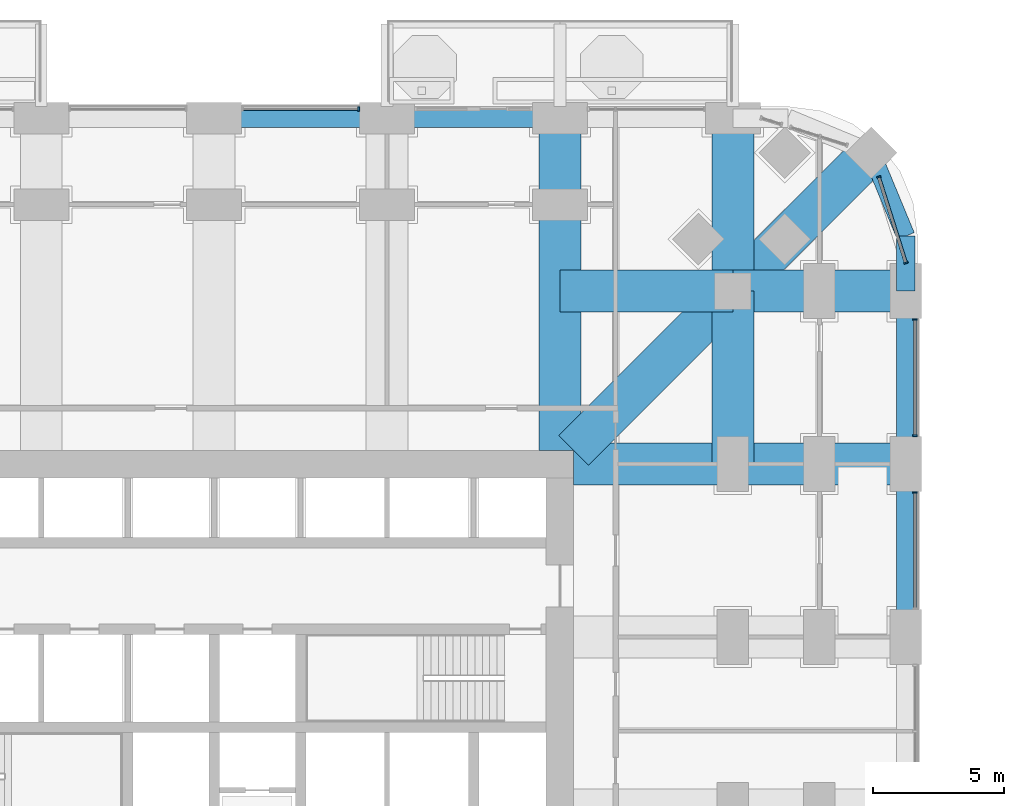
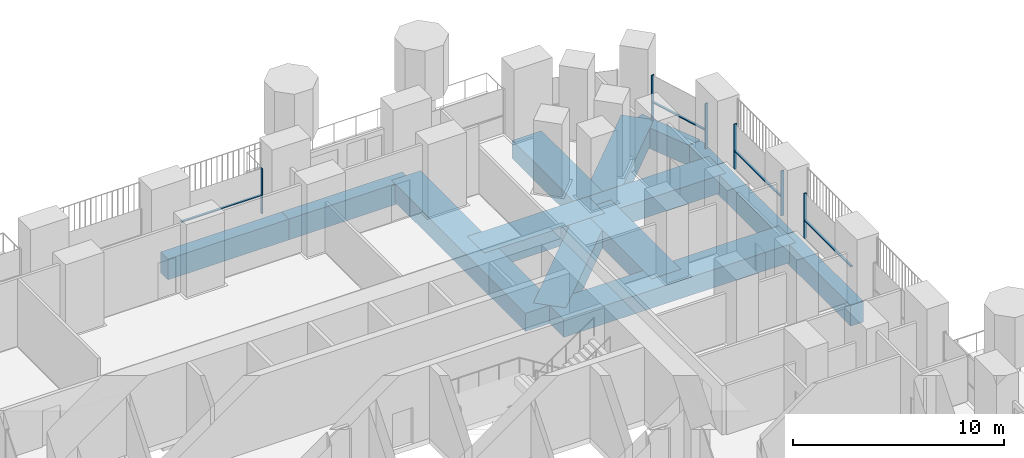
# One storey, part 9 of 27: 14 beams, 10 members, 4 elements without a shape of their own.
"""IFC4 building model written with IfcOpenShell, lengths in metres."""

from ifc_helpers import new_model, si_unit, direction, frame, origin, origin_2d, place, context, subcontext, project, spatial, rectangle, extrude, material, material_profile, profile_set, type_object, element, aggregate, save


model = new_model("IFC4")

# Units and contexts
model_context = context("Model", 3, precision=1e-05, world=origin(), true_north=direction((0.0, 1.0)))
body_context = subcontext(model_context, "Body", "Model", "MODEL_VIEW")
ifc_project = project(units=[si_unit("LENGTHUNIT", "METRE"), si_unit("AREAUNIT", "SQUARE_METRE"), si_unit("VOLUMEUNIT", "CUBIC_METRE"), si_unit("PLANEANGLEUNIT", "RADIAN"), si_unit("MASSUNIT", "GRAM", prefix="KILO")], contexts=[model_context])

# Site, building, storey
site_placement = place(None, origin())
site = spatial("IfcSite", under=ifc_project, at=site_placement, CompositionType="ELEMENT")
building_placement = place(site_placement, origin())
building = spatial("IfcBuilding", under=site, at=building_placement, Name="Cobogo Forest Laboratory Tower", CompositionType="ELEMENT")
storey_placement = place(building_placement, frame((0.0, 0.0, 63.300048828125)))
storey = spatial("IfcBuildingStorey", under=building, at=storey_placement, Name="L14", CompositionType="ELEMENT", Elevation=63.300048828125)

# Beams
ifc_material_1 = material(Name="Concrete HA-50 (C50/60)", Category="concrete")
ifc_material_profile_1 = material_profile(ifc_material_1, rectangle(XDim=1.60009765625, YDim=1.050048828125, at=origin_2d()), Name="RC 1600x1050")
ifc_profile_set_1 = profile_set([ifc_material_profile_1], Name="Concrete HA-50 (C50/60)")
beam_type_1 = type_object("IfcBeamType", Name="Laboratory floor wide beam 1600x1050", PredefinedType="BEAM", material=ifc_profile_set_1)
for number, where, z_axis, x_axis, name in (
    (1, (39.60009765625, 33.52490234375, -0.824951171875), (0.0, 1.0, 0.0), (-1.0, 0.0, 0.0), "RB8 R-7-N L14"),
    (2, (40.125, 33.0, -0.824951171875), (1.0, 0.0, 0.0), (0.0, 1.0, 0.0), "RB8 R-F-E L14"),
):
    element("IfcBeam", number, at=place(storey_placement, frame(where, z_axis=z_axis, x_axis=x_axis)), inside=storey, type_object=beam_type_1, Name=name, PredefinedType="BEAM", context=body_context, shape_type="SweptSolid", body=[
        extrude(rectangle(XDim=1.60009765625, YDim=1.050048828125, at=origin_2d()), origin(), (0.0, 0.0, 1.0), 12.675048828125),
    ])
beam_1_placement = place(storey_placement, frame((46.199951171875, 46.199951171875, -0.824951171875), z_axis=(0.0, -1.0, 0.0), x_axis=(1.0, 0.0, 0.0)))
element("IfcBeam", 3, at=beam_1_placement, inside=storey, type_object=beam_type_1, Name="RB8 G-NE-XF L14", PredefinedType="BEAM", context=body_context, shape_type="SweptSolid", body=[
    extrude(rectangle(XDim=1.60009765625, YDim=1.050048828125, at=origin_2d()), origin(), (0.0, 0.0, 1.0), 6.599853515625),
])
for number, where, z_axis, x_axis, name in (
    (4, (46.199951171875, 39.60009765625, -0.824951171875), (0.0, -1.0, 0.0), (1.0, 0.0, 0.0), "RB8 G-NE-XC L14"),
    (5, (52.800048828125, 39.60009765625, -0.824951171875), (-1.0, 0.0, 0.0), (0.0, -1.0, 0.0), "RB8 G-NE-YF L14"),
):
    element("IfcBeam", number, at=place(storey_placement, frame(where, z_axis=z_axis, x_axis=x_axis)), inside=storey, type_object=beam_type_1, Name=name, PredefinedType="BEAM", context=body_context, shape_type="SweptSolid", body=[
        extrude(rectangle(XDim=1.60009765625, YDim=1.050048828125, at=origin_2d()), origin(), (0.0, 0.0, 1.0), 6.60009765625),
    ])
beam_2_placement = place(storey_placement, frame((46.199951171875, 39.60009765625, -0.824951171875), z_axis=(-1.0, 0.0, 0.0), x_axis=(0.0, -1.0, 0.0)))
element("IfcBeam", 6, at=beam_2_placement, inside=storey, type_object=beam_type_1, Name="RB8 G-NE-YC L14", PredefinedType="BEAM", context=body_context, shape_type="SweptSolid", body=[
    extrude(rectangle(XDim=1.60009765625, YDim=1.050048828125, at=origin_2d()), origin(), (0.0, 0.0, 1.0), 6.599853515625),
])
beam_3_placement = place(storey_placement, frame((51.48193359375, 44.882080078125, -0.824951171875), z_axis=(-0.707106781187, -0.707106781187, 0.0), x_axis=(0.707106781187, -0.707106781187, 0.0)))
element("IfcBeam", 7, at=beam_3_placement, inside=storey, type_object=beam_type_1, Name="RB8 G-NE-D1 L14", PredefinedType="BEAM", context=body_context, shape_type="SweptSolid", body=[
    extrude(rectangle(XDim=1.60009765625, YDim=1.050048828125, at=origin_2d()), origin(), (0.0, 0.0, 1.0), 7.469970703125),
])
beam_4_placement = place(storey_placement, frame((46.199951171875, 39.60009765625, -0.824951171875), z_axis=(-0.707092572697, -0.70712098939, 0.0), x_axis=(0.70712098939, -0.707092572697, 0.0)))
element("IfcBeam", 8, at=beam_4_placement, inside=storey, type_object=beam_type_1, Name="RB8 G-NE-D2 L14", PredefinedType="BEAM", context=body_context, shape_type="SweptSolid", body=[
    extrude(rectangle(XDim=1.60009765625, YDim=1.050048828125, at=origin_2d()), origin(), (0.0, 0.0, 1.0), 8.591552734375),
])

# Curtain wall, member
ifc_material_2 = material(Name="Aluminium curtain wall", Category="aluminium")
curtain_wall_type = type_object("IfcCurtainWallType", Name="CW-1 unitised curtain wall, clear glazing, laboratory floors zones A and B", PredefinedType="USERDEFINED", material=ifc_material_2)
curtain_wall_1_placement = place(storey_placement, origin())
curtain_wall_1 = element("IfcCurtainWall", 9, at=curtain_wall_1_placement, inside=storey, type_object=curtain_wall_type, Name="Curtain wall 13 L14", ObjectType="UNITISED CURTAIN WALL", PredefinedType="USERDEFINED")
ifc_material_3 = material(Name="Aluminium mullion", Category="aluminium")
ifc_material_profile_2 = material_profile(ifc_material_3, rectangle(XDim=0.06005859375, YDim=0.159912109375, at=origin_2d()), Name="AL 60x160")
ifc_profile_set_2 = profile_set([ifc_material_profile_2], Name="Aluminium mullion")
member_type_1 = type_object("IfcMemberType", Name="MU-1 aluminium mullion 60x160", PredefinedType="MULLION", material=ifc_profile_set_2)
member_1_placement = place(storey_placement, frame((53.14990234375, 31.919921875, 0.0), z_axis=(0.0, 0.0, 1.0), x_axis=(0.0, 1.0, 0.0)))
member_1 = element("IfcMember", 10, at=member_1_placement, type_object=member_type_1, Name="CW-1 mullion 2", PredefinedType="MULLION", context=body_context, shape_type="SweptSolid", body=[
    extrude(rectangle(XDim=0.06005859375, YDim=0.159912109375, at=origin_2d()), origin(), (0.0, 0.0, 1.0), 2.599853515625),
])

# Curtain wall, members
curtain_wall_2_placement = place(storey_placement, origin())
curtain_wall_2 = element("IfcCurtainWall", 11, at=curtain_wall_2_placement, inside=storey, type_object=curtain_wall_type, Name="Curtain wall 14 L14", ObjectType="UNITISED CURTAIN WALL", PredefinedType="USERDEFINED")
member_2_placement = place(storey_placement, frame((53.14990234375, 34.080078125, 0.0), z_axis=(0.0, 0.0, 1.0), x_axis=(0.0, 1.0, 0.0)))
member_2 = element("IfcMember", 12, at=member_2_placement, type_object=member_type_1, Name="CW-1 mullion 1", PredefinedType="MULLION", context=body_context, shape_type="SweptSolid", body=[
    extrude(rectangle(XDim=0.06005859375, YDim=0.159912109375, at=origin_2d()), origin(), (0.0, 0.0, 1.0), 2.599853515625),
])
member_3_placement = place(storey_placement, frame((53.14990234375, 38.52001953125, 0.0), z_axis=(0.0, 0.0, 1.0), x_axis=(0.0, 1.0, 0.0)))
member_3 = element("IfcMember", 13, at=member_3_placement, type_object=member_type_1, Name="CW-1 mullion 2", PredefinedType="MULLION", context=body_context, shape_type="SweptSolid", body=[
    extrude(rectangle(XDim=0.06005859375, YDim=0.159912109375, at=origin_2d()), origin(), (0.0, 0.0, 1.0), 2.599853515625),
])

curtain_wall_3_placement = place(storey_placement, origin())
curtain_wall_3 = element("IfcCurtainWall", 14, at=curtain_wall_3_placement, inside=storey, type_object=curtain_wall_type, Name="Curtain wall 15 L14", ObjectType="UNITISED CURTAIN WALL", PredefinedType="USERDEFINED")
member_4_placement = place(storey_placement, frame((52.809326171875, 40.6787109375, 0.0), z_axis=(0.0, 0.0, 1.0), x_axis=(-0.30113535792, 0.95358140513, 0.0)))
member_4 = element("IfcMember", 15, at=member_4_placement, type_object=member_type_1, Name="CW-1 mullion 1", PredefinedType="MULLION", context=body_context, shape_type="SweptSolid", body=[
    extrude(rectangle(XDim=0.06005859375, YDim=0.159912109375, at=origin_2d()), origin(), (0.0, 0.0, 1.0), 2.599853515625),
])
member_5_placement = place(storey_placement, frame((51.772705078125, 43.961181640625, 0.0), z_axis=(0.0, 0.0, 1.0), x_axis=(-0.30113535792, 0.95358140513, 0.0)))
member_5 = element("IfcMember", 16, at=member_5_placement, type_object=member_type_1, Name="CW-1 mullion 2", PredefinedType="MULLION", context=body_context, shape_type="SweptSolid", body=[
    extrude(rectangle(XDim=0.06005859375, YDim=0.159912109375, at=origin_2d()), origin(), (0.0, 0.0, 1.0), 2.599853515625),
])

# Curtain wall, member
curtain_wall_4_placement = place(storey_placement, origin())
curtain_wall_4 = element("IfcCurtainWall", 17, at=curtain_wall_4_placement, inside=storey, type_object=curtain_wall_type, Name="Curtain wall 20 L14", ObjectType="UNITISED CURTAIN WALL", PredefinedType="USERDEFINED")
member_6_placement = place(storey_placement, frame((31.919921875, 46.550048828125, 0.0), z_axis=(0.0, 0.0, 1.0), x_axis=(-1.0, 0.0, 0.0)))
member_6 = element("IfcMember", 18, at=member_6_placement, type_object=member_type_1, Name="CW-1 mullion 1", PredefinedType="MULLION", context=body_context, shape_type="SweptSolid", body=[
    extrude(rectangle(XDim=0.06005859375, YDim=0.159912109375, at=origin_2d()), origin(), (0.0, 0.0, 1.0), 2.599853515625),
])

# Beams
ifc_material_4 = material(Name="Concrete HA-40 (C40/50)", Category="concrete")
ifc_material_profile_3 = material_profile(ifc_material_4, rectangle(XDim=0.699951171875, YDim=1.199951171875, at=origin_2d()), Name="RC 700x1200")
ifc_profile_set_3 = profile_set([ifc_material_profile_3], Name="Concrete HA-40 (C40/50)")
beam_type_2 = type_object("IfcBeamType", Name="Perimeter edge beam 700x1200", PredefinedType="BEAM", material=ifc_profile_set_3)
for number, where, z_axis, x_axis, name in (
    (19, (52.800048828125, 26.39990234375, -0.900146484375), (0.0, 1.0, 0.0), (-1.0, 0.0, 0.0), "EB1 E-E4 L14"),
    (20, (52.800048828125, 33.0, -0.900146484375), (0.0, 1.0, 0.0), (-1.0, 0.0, 0.0), "EB1 E-E5 L14"),
    (21, (26.39990234375, 46.199951171875, -0.900146484375), (1.0, 0.0, 0.0), (0.0, 1.0, 0.0), "EB1 E-N4 L14"),
    (22, (33.0, 46.199951171875, -0.900146484375), (1.0, 0.0, 0.0), (0.0, 1.0, 0.0), "EB1 E-N5 L14"),
):
    element("IfcBeam", number, at=place(storey_placement, frame(where, z_axis=z_axis, x_axis=x_axis)), inside=storey, type_object=beam_type_2, Name=name, PredefinedType="BEAM", context=body_context, shape_type="SweptSolid", body=[
        extrude(rectangle(XDim=0.699951171875, YDim=1.199951171875, at=origin_2d()), origin(), (0.0, 0.0, 1.0), 6.60009765625),
    ])
beam_5_placement = place(storey_placement, frame((52.800048828125, 39.60009765625, -0.900146484375), z_axis=(0.0, 1.0, 0.0), x_axis=(-1.0, 0.0, 0.0)))
element("IfcBeam", 23, at=beam_5_placement, inside=storey, type_object=beam_type_2, Name="EB1 E-NEE1 L14", PredefinedType="BEAM", context=body_context, shape_type="SweptSolid", body=[
    extrude(rectangle(XDim=0.699951171875, YDim=1.199951171875, at=origin_2d()), origin(), (0.0, 0.0, 1.0), 2.099853515625),
])
beam_6_placement = place(storey_placement, frame((52.800048828125, 41.699951171875, -0.900146484375), z_axis=(-0.382691928466, 0.923876013265, 0.0), x_axis=(-0.923876013265, -0.382691928466, 0.0)))
element("IfcBeam", 24, at=beam_6_placement, inside=storey, type_object=beam_type_2, Name="EB1 E-NEE2 L14", PredefinedType="BEAM", context=body_context, shape_type="SweptSolid", body=[
    extrude(rectangle(XDim=0.699951171875, YDim=1.199951171875, at=origin_2d()), origin(), (0.0, 0.0, 1.0), 3.4443359375),
])

# Member
ifc_material_5 = material(Name="Aluminium transom", Category="aluminium")
ifc_material_profile_4 = material_profile(ifc_material_5, rectangle(XDim=0.1201171875, YDim=0.06005859375, at=origin_2d()), Name="AL 60x120")
ifc_profile_set_4 = profile_set([ifc_material_profile_4], Name="Aluminium transom")
member_type_2 = type_object("IfcMemberType", Name="TR-1 aluminium transom 60x120", PredefinedType="USERDEFINED", material=ifc_profile_set_4)
member_7_placement = place(storey_placement, frame((53.14990234375, 27.510009765625, 1.050048828125), z_axis=(0.0, 1.0, 0.0), x_axis=(-1.0, 0.0, 0.0)))
member_7 = element("IfcMember", 25, at=member_7_placement, type_object=member_type_2, Name="CW-1 transom 1.1", ObjectType="TRANSOM", PredefinedType="USERDEFINED", context=body_context, shape_type="SweptSolid", body=[
    extrude(rectangle(XDim=0.1201171875, YDim=0.06005859375, at=origin_2d()), origin(), (0.0, 0.0, 1.0), 4.3798828125),
])

aggregate(curtain_wall_1, [member_1, member_7])

member_8_placement = place(storey_placement, frame((53.14990234375, 34.110107421875, 1.050048828125), z_axis=(0.0, 1.0, 0.0), x_axis=(-1.0, 0.0, 0.0)))
member_8 = element("IfcMember", 26, at=member_8_placement, type_object=member_type_2, Name="CW-1 transom 1.1", ObjectType="TRANSOM", PredefinedType="USERDEFINED", context=body_context, shape_type="SweptSolid", body=[
    extrude(rectangle(XDim=0.1201171875, YDim=0.06005859375, at=origin_2d()), origin(), (0.0, 0.0, 1.0), 4.3798828125),
])

aggregate(curtain_wall_2, [member_2, member_3, member_8])

member_9_placement = place(storey_placement, frame((52.80029296875, 40.707275390625, 1.050048828125), z_axis=(-0.301138276922, 0.953580483322, 0.0), x_axis=(-0.953580483322, -0.301138276922, 0.0)))
member_9 = element("IfcMember", 27, at=member_9_placement, type_object=member_type_2, Name="CW-1 transom 1.1", ObjectType="TRANSOM", PredefinedType="USERDEFINED", context=body_context, shape_type="SweptSolid", body=[
    extrude(rectangle(XDim=0.1201171875, YDim=0.06005859375, at=origin_2d()), origin(), (0.0, 0.0, 1.0), 3.38232421875),
])

aggregate(curtain_wall_3, [member_4, member_5, member_9])

member_10_placement = place(storey_placement, frame((31.889892578125, 46.550048828125, 1.050048828125), z_axis=(-1.0, 0.0, 0.0), x_axis=(0.0, -1.0, 0.0)))
member_10 = element("IfcMember", 28, at=member_10_placement, type_object=member_type_2, Name="CW-1 transom 1.1", ObjectType="TRANSOM", PredefinedType="USERDEFINED", context=body_context, shape_type="SweptSolid", body=[
    extrude(rectangle(XDim=0.1201171875, YDim=0.06005859375, at=origin_2d()), origin(), (0.0, 0.0, 1.0), 4.3798828125),
])

aggregate(curtain_wall_4, [member_6, member_10])

save(model, "model.ifc")
